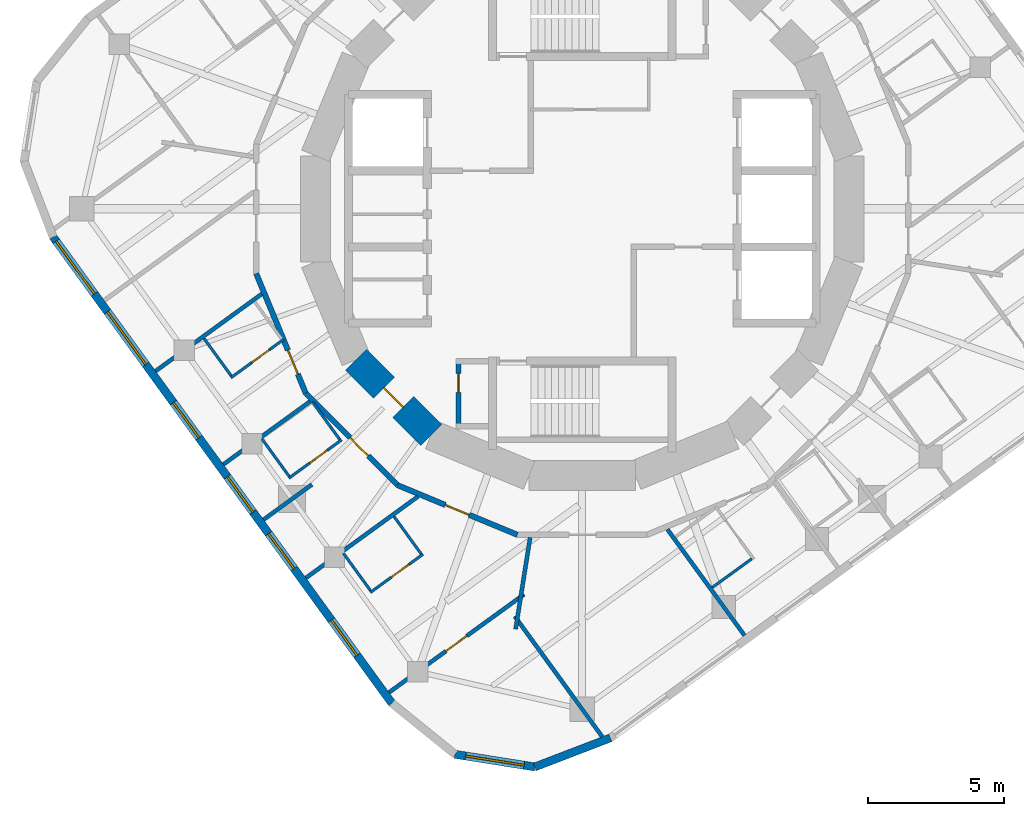
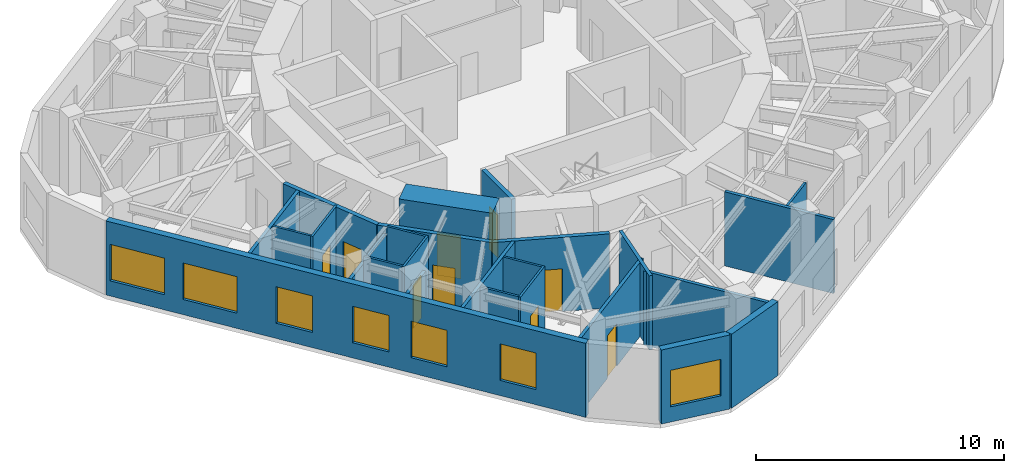
# One storey, part 3 of 9: 25 walls, 9 doors, 7 windows, 16 openings.
"""IFC4 building model written with IfcOpenShell, lengths in metres."""

from ifc_helpers import new_model, si_unit, direction, frame, frame_2d, origin, place, context, subcontext, project, spatial, rectangle, extrude, material, layer, layer_set, type_object, element, fill, save


model = new_model("IFC4")

# Units and contexts
model_context = context("Model", 3, precision=1e-05, world=origin(), true_north=direction((0.0, 1.0)))
body_context = subcontext(model_context, "Body", "Model", "MODEL_VIEW")
ifc_project = project(units=[si_unit("LENGTHUNIT", "METRE"), si_unit("AREAUNIT", "SQUARE_METRE"), si_unit("VOLUMEUNIT", "CUBIC_METRE"), si_unit("PLANEANGLEUNIT", "RADIAN"), si_unit("MASSUNIT", "GRAM", prefix="KILO")], contexts=[model_context])

# Site, building, storey
site_placement = place(None, origin())
site = spatial("IfcSite", under=ifc_project, at=site_placement, CompositionType="ELEMENT")
building_placement = place(site_placement, origin())
building = spatial("IfcBuilding", under=site, at=building_placement, Name="Nakasero Lantern House", CompositionType="ELEMENT")
storey_placement = place(building_placement, frame((0.0, 0.0, 279.14990234375)))
storey = spatial("IfcBuildingStorey", under=building, at=storey_placement, Name="L68", CompositionType="ELEMENT", Elevation=279.14990234375)

# Wall, opening, door
ifc_material_1 = material(Name="Concrete C50/60", Category="concrete")
ifc_layer_1 = layer(ifc_material_1, 1.10009765625)
ifc_layer_set_1 = layer_set([ifc_layer_1], Name="Core wall 1100")
wall_type_1 = type_object("IfcWallType", Name="Core wall 1100", PredefinedType="SHEAR", material=ifc_layer_set_1)
wall_1_placement = place(storey_placement, frame((-8.314697265625, -5.5556640625, 0.0), z_axis=(0.0, 0.0, 1.0), x_axis=(0.707106781187, -0.707106781187, 0.0)))
wall_1 = element("IfcWall", 1, at=wall_1_placement, inside=storey, type_object=wall_type_1, Name="Core wall L68 facet 10", PredefinedType="SHEAR", context=body_context, shape_type="SweptSolid", body=[
    extrude(rectangle(XDim=3.90185546875, YDim=1.10009765625, at=frame_2d((1.950927734375, 0.0))), origin(), (0.0, 0.0, 1.0), 3.85009765625),
])
opening_1_placement = place(wall_1_placement, frame((1.450927734375, 0.0, 0.0)))
opening_1 = element("IfcOpeningElement", 2, at=opening_1_placement, cuts=wall_1, Name="Opening D05", PredefinedType="OPENING", context=body_context, shape_type="SweptSolid", body=[
    extrude(rectangle(XDim=1.0, YDim=2.10009765625, at=frame_2d((0.5, 1.050048828125))), frame((0.0, 0.570068359375, 0.0), z_axis=(0.0, -1.0, 0.0), x_axis=(1.0, 0.0, 0.0)), (0.0, 0.0, 1.0), 1.14013671875),
])
ifc_material_2 = material(Name="Timber C24", Category="wood")
door_type_1 = type_object("IfcDoorType", Name="Core door FD60S 1000", OperationType="SINGLE_SWING_LEFT", PredefinedType="DOOR", material=ifc_material_2)
door_1_placement = place(opening_1_placement, origin())
door_1 = element("IfcDoor", 3, at=door_1_placement, inside=storey, type_object=door_type_1, Name="Door L68 D-CORE10", OperationType="SINGLE_SWING_LEFT", OverallHeight=2.10009765625, OverallWidth=1.0, PredefinedType="DOOR", context=body_context, shape_type="SweptSolid", body=[
    extrude(rectangle(XDim=1.0, YDim=2.10009765625, at=frame_2d((0.5, 1.050048828125))), frame((0.0, 0.02490234375, 0.0), z_axis=(0.0, -1.0, 0.0), x_axis=(1.0, 0.0, 0.0)), (0.0, 0.0, 1.0), 0.050048828125),
])
fill(opening_1, door_1)

ifc_material_3 = material(Name="Blockwork", Category="masonry")
ifc_layer_2 = layer(ifc_material_3, 0.199951171875)
ifc_layer_set_2 = layer_set([ifc_layer_2], Name="Corridor wall 200")
wall_type_2 = type_object("IfcWallType", Name="Corridor wall 200", PredefinedType="PARTITIONING", material=ifc_layer_set_2)
wall_2_placement = place(storey_placement, frame((-2.384521484375, -11.98779296875, 0.0), z_axis=(0.0, 0.0, 1.0), x_axis=(-0.923885182372, 0.382669792111, 0.0)))
wall_2 = element("IfcWall", 4, at=wall_2_placement, inside=storey, type_object=wall_type_2, Name="Corridor wall L68 RC05a", PredefinedType="PARTITIONING", context=body_context, shape_type="SweptSolid", body=[
    extrude(rectangle(XDim=4.76904296875, YDim=0.199951171875, at=frame_2d((2.384521484375, 0.0))), origin(), (0.0, 0.0, 1.0), 3.650146484375),
])
opening_2_placement = place(wall_2_placement, frame((1.919921875, 0.0, 0.0)))
opening_2 = element("IfcOpeningElement", 5, at=opening_2_placement, cuts=wall_2, Name="Opening D01", PredefinedType="OPENING", context=body_context, shape_type="SweptSolid", body=[
    extrude(rectangle(XDim=0.949951171875, YDim=2.10009765625, at=frame_2d((0.47509765625, 1.050048828125))), frame((0.0, 0.119873046875, 0.0), z_axis=(0.0, -1.0, 0.0), x_axis=(1.0, 0.0, 0.0)), (0.0, 0.0, 1.0), 0.239990234375),
])
ifc_material_4 = material(Name="Timber C24", Category="wood")
door_type_2 = type_object("IfcDoorType", Name="Bedroom door FD30S 950", OperationType="SINGLE_SWING_LEFT", PredefinedType="DOOR", material=ifc_material_4)
door_2_placement = place(opening_2_placement, origin())
door_2 = element("IfcDoor", 6, at=door_2_placement, inside=storey, type_object=door_type_2, Name="Door L68 D2-06", OperationType="SINGLE_SWING_RIGHT", OverallHeight=2.10009765625, OverallWidth=0.949951171875, PredefinedType="DOOR", context=body_context, shape_type="SweptSolid", body=[
    extrude(rectangle(XDim=0.949951171875, YDim=2.10009765625, at=frame_2d((0.47509765625, 1.050048828125))), frame((0.0, 0.02490234375, 0.0), z_axis=(0.0, -1.0, 0.0), x_axis=(1.0, 0.0, 0.0)), (0.0, 0.0, 1.0), 0.050048828125),
])
fill(opening_2, door_2)

wall_3_placement = place(storey_placement, frame((-6.79052734375, -10.162841796875, 0.0), z_axis=(0.0, 0.0, 1.0), x_axis=(-0.707106781187, 0.707106781187, 0.0)))
wall_3 = element("IfcWall", 7, at=wall_3_placement, inside=storey, type_object=wall_type_2, Name="Corridor wall L68 RC06a", PredefinedType="PARTITIONING", context=body_context, shape_type="SweptSolid", body=[
    extrude(rectangle(XDim=4.769287109375, YDim=0.199951171875, at=frame_2d((2.384765625, 0.0))), origin(), (0.0, 0.0, 1.0), 3.650146484375),
])
opening_3_placement = place(wall_3_placement, frame((1.52001953125, 0.0, 0.0)))
opening_3 = element("IfcOpeningElement", 8, at=opening_3_placement, cuts=wall_3, Name="Opening D01", PredefinedType="OPENING", context=body_context, shape_type="SweptSolid", body=[
    extrude(rectangle(XDim=0.949951171875, YDim=2.10009765625, at=frame_2d((0.47509765625, 1.050048828125))), frame((0.0, 0.119873046875, 0.0), z_axis=(0.0, -1.0, 0.0), x_axis=(1.0, 0.0, 0.0)), (0.0, 0.0, 1.0), 0.239990234375),
])
door_3_placement = place(opening_3_placement, origin())
door_3 = element("IfcDoor", 9, at=door_3_placement, inside=storey, type_object=door_type_2, Name="Door L68 D2-04", OperationType="SINGLE_SWING_LEFT", OverallHeight=2.10009765625, OverallWidth=0.949951171875, PredefinedType="DOOR", context=body_context, shape_type="SweptSolid", body=[
    extrude(rectangle(XDim=0.949951171875, YDim=2.10009765625, at=frame_2d((0.47509765625, 1.050048828125))), frame((0.0, 0.02490234375, 0.0), z_axis=(0.0, -1.0, 0.0), x_axis=(1.0, 0.0, 0.0)), (0.0, 0.0, 1.0), 0.050048828125),
])
fill(opening_3, door_3)

wall_4_placement = place(storey_placement, frame((-10.162841796875, -6.79052734375, 0.0), z_axis=(0.0, 0.0, 1.0), x_axis=(-0.382669792111, 0.923885182372, 0.0)))
wall_4 = element("IfcWall", 10, at=wall_4_placement, inside=storey, type_object=wall_type_2, Name="Corridor wall L68 RC07a", PredefinedType="PARTITIONING", context=body_context, shape_type="SweptSolid", body=[
    extrude(rectangle(XDim=4.76904296875, YDim=0.199951171875, at=frame_2d((2.384521484375, 0.0))), origin(), (0.0, 0.0, 1.0), 3.650146484375),
])
opening_4_placement = place(wall_4_placement, frame((0.77001953125, 0.0, 0.0)))
opening_4 = element("IfcOpeningElement", 11, at=opening_4_placement, cuts=wall_4, Name="Opening D01", PredefinedType="OPENING", context=body_context, shape_type="SweptSolid", body=[
    extrude(rectangle(XDim=0.949951171875, YDim=2.10009765625, at=frame_2d((0.47509765625, 1.050048828125))), frame((0.0, 0.119873046875, 0.0), z_axis=(0.0, -1.0, 0.0), x_axis=(1.0, 0.0, 0.0)), (0.0, 0.0, 1.0), 0.239990234375),
])
door_4_placement = place(opening_4_placement, origin())
door_4 = element("IfcDoor", 12, at=door_4_placement, inside=storey, type_object=door_type_2, Name="Door L68 D2-03", OperationType="SINGLE_SWING_LEFT", OverallHeight=2.10009765625, OverallWidth=0.949951171875, PredefinedType="DOOR", context=body_context, shape_type="SweptSolid", body=[
    extrude(rectangle(XDim=0.949951171875, YDim=2.10009765625, at=frame_2d((0.47509765625, 1.050048828125))), frame((0.0, 0.02490234375, 0.0), z_axis=(0.0, -1.0, 0.0), x_axis=(1.0, 0.0, 0.0)), (0.0, 0.0, 1.0), 0.050048828125),
])
fill(opening_4, door_4)

ifc_material_5 = material(Name="Blockwork", Category="masonry")
ifc_layer_3 = layer(ifc_material_5, 0.10009765625)
ifc_layer_set_3 = layer_set([ifc_layer_3], Name="En-suite wall 100")
wall_type_3 = type_object("IfcWallType", Name="En-suite wall 100", PredefinedType="PARTITIONING", material=ifc_layer_set_3)
wall_5_placement = place(storey_placement, frame((-10.97705078125, -4.80126953125, 0.0), z_axis=(0.0, 0.0, 1.0), x_axis=(-0.809026317077, -0.587772420479, 0.0)))
wall_5 = element("IfcWall", 13, at=wall_5_placement, inside=storey, type_object=wall_type_3, Name="En-suite wall L68 ES2-03", PredefinedType="PARTITIONING", context=body_context, shape_type="SweptSolid", body=[
    extrude(rectangle(XDim=2.39990234375, YDim=0.10009765625, at=frame_2d((1.199951171875, 0.0))), origin(), (0.0, 0.0, 1.0), 3.650146484375),
])
opening_5_placement = place(wall_5_placement, frame((0.64990234375, 0.0, 0.0)))
opening_5 = element("IfcOpeningElement", 14, at=opening_5_placement, cuts=wall_5, Name="Opening D02", PredefinedType="OPENING", context=body_context, shape_type="SweptSolid", body=[
    extrude(rectangle(XDim=0.800048828125, YDim=2.10009765625, at=frame_2d((0.39990234375, 1.050048828125))), frame((0.0, 0.070068359375, 0.0), z_axis=(0.0, -1.0, 0.0), x_axis=(1.0, 0.0, 0.0)), (0.0, 0.0, 1.0), 0.14013671875),
])
ifc_material_6 = material(Name="Timber C24", Category="wood")
door_type_3 = type_object("IfcDoorType", Name="En-suite door 800", OperationType="SINGLE_SWING_RIGHT", PredefinedType="DOOR", material=ifc_material_6)
door_5_placement = place(opening_5_placement, origin())
door_5 = element("IfcDoor", 15, at=door_5_placement, inside=storey, type_object=door_type_3, Name="Door L68 DE2-03", OperationType="SINGLE_SWING_LEFT", OverallHeight=2.10009765625, OverallWidth=0.800048828125, PredefinedType="DOOR", context=body_context, shape_type="SweptSolid", body=[
    extrude(rectangle(XDim=0.800048828125, YDim=2.10009765625, at=frame_2d((0.39990234375, 1.050048828125))), frame((0.0, 0.02490234375, 0.0), z_axis=(0.0, -1.0, 0.0), x_axis=(1.0, 0.0, 0.0)), (0.0, 0.0, 1.0), 0.050048828125),
])
fill(opening_5, door_5)

# Wall
wall_6_placement = place(storey_placement, frame((-13.906982421875, -4.766845703125, 0.0), z_axis=(0.0, 0.0, 1.0), x_axis=(0.587821529301, -0.808990636343, 0.0)))
element("IfcWall", 16, at=wall_6_placement, inside=storey, type_object=wall_type_3, Name="En-suite wall L68 EE2-03", PredefinedType="PARTITIONING", context=body_context, shape_type="SweptSolid", body=[
    extrude(rectangle(XDim=1.699951171875, YDim=0.10009765625, at=frame_2d((0.85009765625, 0.0))), origin(), (0.0, 0.0, 1.0), 3.650146484375),
])

# Wall, opening, door
wall_7_placement = place(storey_placement, frame((-8.846435546875, -8.495849609375, 0.0), z_axis=(0.0, 0.0, 1.0), x_axis=(-0.809026317077, -0.587772420479, 0.0)))
wall_7 = element("IfcWall", 17, at=wall_7_placement, inside=storey, type_object=wall_type_3, Name="En-suite wall L68 ES2-04", PredefinedType="PARTITIONING", context=body_context, shape_type="SweptSolid", body=[
    extrude(rectangle(XDim=2.39990234375, YDim=0.10009765625, at=frame_2d((1.199951171875, 0.0))), origin(), (0.0, 0.0, 1.0), 3.650146484375),
])
opening_6_placement = place(wall_7_placement, frame((0.64990234375, 0.0, 0.0)))
opening_6 = element("IfcOpeningElement", 18, at=opening_6_placement, cuts=wall_7, Name="Opening D02", PredefinedType="OPENING", context=body_context, shape_type="SweptSolid", body=[
    extrude(rectangle(XDim=0.800048828125, YDim=2.10009765625, at=frame_2d((0.39990234375, 1.050048828125))), frame((0.0, 0.070068359375, 0.0), z_axis=(0.0, -1.0, 0.0), x_axis=(1.0, 0.0, 0.0)), (0.0, 0.0, 1.0), 0.14013671875),
])
door_6_placement = place(opening_6_placement, origin())
door_6 = element("IfcDoor", 19, at=door_6_placement, inside=storey, type_object=door_type_3, Name="Door L68 DE2-04", OperationType="SINGLE_SWING_LEFT", OverallHeight=2.10009765625, OverallWidth=0.800048828125, PredefinedType="DOOR", context=body_context, shape_type="SweptSolid", body=[
    extrude(rectangle(XDim=0.800048828125, YDim=2.10009765625, at=frame_2d((0.39990234375, 1.050048828125))), frame((0.0, 0.02490234375, 0.0), z_axis=(0.0, -1.0, 0.0), x_axis=(1.0, 0.0, 0.0)), (0.0, 0.0, 1.0), 0.050048828125),
])
fill(opening_6, door_6)

# Walls
wall_8_placement = place(storey_placement, frame((-11.7763671875, -8.461181640625, 0.0), z_axis=(0.0, 0.0, 1.0), x_axis=(0.58775323954, -0.809040252033, 0.0)))
element("IfcWall", 20, at=wall_8_placement, inside=storey, type_object=wall_type_3, Name="En-suite wall L68 EE2-04", PredefinedType="PARTITIONING", context=body_context, shape_type="SweptSolid", body=[
    extrude(rectangle(XDim=1.7001953125, YDim=0.10009765625, at=frame_2d((0.85009765625, 0.0))), origin(), (0.0, 0.0, 1.0), 3.650146484375),
])
wall_9_placement = place(storey_placement, frame((-9.91552734375, -7.109375, 0.0), z_axis=(0.0, 0.0, 1.0), x_axis=(0.587821529301, -0.808990636343, 0.0)))
element("IfcWall", 21, at=wall_9_placement, inside=storey, type_object=wall_type_3, Name="En-suite wall L68 EI2-04", PredefinedType="PARTITIONING", context=body_context, shape_type="SweptSolid", body=[
    extrude(rectangle(XDim=1.699951171875, YDim=0.10009765625, at=frame_2d((0.85009765625, 0.0))), origin(), (0.0, 0.0, 1.0), 3.650146484375),
])

# Wall, opening, door
wall_10_placement = place(storey_placement, frame((-5.852783203125, -12.7001953125, 0.0), z_axis=(0.0, 0.0, 1.0), x_axis=(-0.809026317077, -0.587772420479, 0.0)))
wall_10 = element("IfcWall", 22, at=wall_10_placement, inside=storey, type_object=wall_type_3, Name="En-suite wall L68 ES2-06", PredefinedType="PARTITIONING", context=body_context, shape_type="SweptSolid", body=[
    extrude(rectangle(XDim=2.39990234375, YDim=0.10009765625, at=frame_2d((1.199951171875, 0.0))), origin(), (0.0, 0.0, 1.0), 3.650146484375),
])
opening_7_placement = place(wall_10_placement, frame((0.64990234375, 0.0, 0.0)))
opening_7 = element("IfcOpeningElement", 23, at=opening_7_placement, cuts=wall_10, Name="Opening D02", PredefinedType="OPENING", context=body_context, shape_type="SweptSolid", body=[
    extrude(rectangle(XDim=0.800048828125, YDim=2.10009765625, at=frame_2d((0.39990234375, 1.050048828125))), frame((0.0, 0.070068359375, 0.0), z_axis=(0.0, -1.0, 0.0), x_axis=(1.0, 0.0, 0.0)), (0.0, 0.0, 1.0), 0.14013671875),
])
door_7_placement = place(opening_7_placement, origin())
door_7 = element("IfcDoor", 24, at=door_7_placement, inside=storey, type_object=door_type_3, Name="Door L68 DE2-06", OperationType="SINGLE_SWING_LEFT", OverallHeight=2.10009765625, OverallWidth=0.800048828125, PredefinedType="DOOR", context=body_context, shape_type="SweptSolid", body=[
    extrude(rectangle(XDim=0.800048828125, YDim=2.10009765625, at=frame_2d((0.39990234375, 1.050048828125))), frame((0.0, 0.02490234375, 0.0), z_axis=(0.0, -1.0, 0.0), x_axis=(1.0, 0.0, 0.0)), (0.0, 0.0, 1.0), 0.050048828125),
])
fill(opening_7, door_7)

# Walls
wall_11_placement = place(storey_placement, frame((-8.78271484375, -12.665771484375, 0.0), z_axis=(0.0, 0.0, 1.0), x_axis=(0.587821529301, -0.808990636343, 0.0)))
element("IfcWall", 25, at=wall_11_placement, inside=storey, type_object=wall_type_3, Name="En-suite wall L68 EE2-06", PredefinedType="PARTITIONING", context=body_context, shape_type="SweptSolid", body=[
    extrude(rectangle(XDim=1.699951171875, YDim=0.10009765625, at=frame_2d((0.85009765625, 0.0))), origin(), (0.0, 0.0, 1.0), 3.650146484375),
])
wall_12_placement = place(storey_placement, frame((-6.921875, -11.313720703125, 0.0), z_axis=(0.0, 0.0, 1.0), x_axis=(0.58775323954, -0.809040252033, 0.0)))
element("IfcWall", 26, at=wall_12_placement, inside=storey, type_object=wall_type_3, Name="En-suite wall L68 EI2-06", PredefinedType="PARTITIONING", context=body_context, shape_type="SweptSolid", body=[
    extrude(rectangle(XDim=1.7001953125, YDim=0.10009765625, at=frame_2d((0.85009765625, 0.0))), origin(), (0.0, 0.0, 1.0), 3.650146484375),
])
wall_13_placement = place(storey_placement, frame((4.781005859375, -13.926513671875, 0.0), z_axis=(0.0, 0.0, 1.0), x_axis=(0.808958916286, 0.58786518162, 0.0)))
element("IfcWall", 27, at=wall_13_placement, inside=storey, type_object=wall_type_3, Name="En-suite wall L68 EE3-03", PredefinedType="PARTITIONING", context=body_context, shape_type="SweptSolid", body=[
    extrude(rectangle(XDim=1.7998046875, YDim=0.10009765625, at=frame_2d((0.89990234375, 0.0))), origin(), (0.0, 0.0, 1.0), 3.650146484375),
])

# Wall, openings, windows
ifc_material_7 = material(Name="Aluminium rainscreen on blockwork", Category="masonry")
ifc_layer_4 = layer(ifc_material_7, 0.300048828125)
ifc_layer_set_4 = layer_set([ifc_layer_4], Name="Facade wall 300")
wall_type_4 = type_object("IfcWallType", Name="Facade wall 300", PredefinedType="SOLIDWALL", material=ifc_layer_set_4)
wall_14_placement = place(storey_placement, frame((-19.4580078125, -1.03466796875, 0.0), z_axis=(0.0, 0.0, 1.0), x_axis=(0.587790233451, -0.809013375328, 0.0)))
wall_14 = element("IfcWall", 28, at=wall_14_placement, inside=storey, type_object=wall_type_4, Name="Facade wall L68 FW2S", PredefinedType="SOLIDWALL", context=body_context, shape_type="SweptSolid", body=[
    extrude(rectangle(XDim=21.199951171875, YDim=0.300048828125, at=frame_2d((10.60009765625, 0.0))), origin(), (0.0, 0.0, 1.0), 3.650146484375),
])
opening_8_placement = place(wall_14_placement, frame((7.52783203125, 0.0, 0.75)))
opening_8 = element("IfcOpeningElement", 29, at=opening_8_placement, cuts=wall_14, Name="Opening W01", PredefinedType="OPENING", context=body_context, shape_type="SweptSolid", body=[
    extrude(rectangle(XDim=1.60009765625, YDim=1.800048828125, at=frame_2d((0.800048828125, 0.89990234375))), frame((0.0, 0.169921875, 0.0), z_axis=(0.0, -1.0, 0.0), x_axis=(1.0, 0.0, 0.0)), (0.0, 0.0, 1.0), 0.340087890625),
])
opening_9_placement = place(wall_14_placement, frame((10.904052734375, 0.0, 0.75)))
opening_9 = element("IfcOpeningElement", 30, at=opening_9_placement, cuts=wall_14, Name="Opening W01", PredefinedType="OPENING", context=body_context, shape_type="SweptSolid", body=[
    extrude(rectangle(XDim=1.60009765625, YDim=1.800048828125, at=frame_2d((0.800048828125, 0.89990234375))), frame((0.0, 0.169921875, 0.0), z_axis=(0.0, -1.0, 0.0), x_axis=(1.0, 0.0, 0.0)), (0.0, 0.0, 1.0), 0.340087890625),
])
opening_10_placement = place(wall_14_placement, frame((13.484619140625, 0.0, 0.75)))
opening_10 = element("IfcOpeningElement", 31, at=opening_10_placement, cuts=wall_14, Name="Opening W01", PredefinedType="OPENING", context=body_context, shape_type="SweptSolid", body=[
    extrude(rectangle(XDim=1.60009765625, YDim=1.800048828125, at=frame_2d((0.800048828125, 0.89990234375))), frame((0.0, 0.169921875, 0.0), z_axis=(0.0, -1.0, 0.0), x_axis=(1.0, 0.0, 0.0)), (0.0, 0.0, 1.0), 0.340087890625),
])
opening_11_placement = place(wall_14_placement, frame((17.410888671875, 0.0, 0.75)))
opening_11 = element("IfcOpeningElement", 32, at=opening_11_placement, cuts=wall_14, Name="Opening W01", PredefinedType="OPENING", context=body_context, shape_type="SweptSolid", body=[
    extrude(rectangle(XDim=1.60009765625, YDim=1.800048828125, at=frame_2d((0.800048828125, 0.89990234375))), frame((0.0, 0.169921875, 0.0), z_axis=(0.0, -1.0, 0.0), x_axis=(1.0, 0.0, 0.0)), (0.0, 0.0, 1.0), 0.340087890625),
])
opening_12_placement = place(wall_14_placement, frame((0.1904296875, 0.0, 0.75)))
opening_12 = element("IfcOpeningElement", 33, at=opening_12_placement, cuts=wall_14, Name="Opening W03", PredefinedType="OPENING", context=body_context, shape_type="SweptSolid", body=[
    extrude(rectangle(XDim=2.39990234375, YDim=1.800048828125, at=frame_2d((1.199951171875, 0.89990234375))), frame((0.0, 0.169921875, 0.0), z_axis=(0.0, -1.0, 0.0), x_axis=(1.0, 0.0, 0.0)), (0.0, 0.0, 1.0), 0.340087890625),
])
opening_13_placement = place(wall_14_placement, frame((3.401611328125, 0.0, 0.75)))
opening_13 = element("IfcOpeningElement", 34, at=opening_13_placement, cuts=wall_14, Name="Opening W03", PredefinedType="OPENING", context=body_context, shape_type="SweptSolid", body=[
    extrude(rectangle(XDim=2.39990234375, YDim=1.800048828125, at=frame_2d((1.199951171875, 0.89990234375))), frame((0.0, 0.169921875, 0.0), z_axis=(0.0, -1.0, 0.0), x_axis=(1.0, 0.0, 0.0)), (0.0, 0.0, 1.0), 0.340087890625),
])
ifc_material_8 = material(Name="Aluminium 6063-T6 and glass", Category="aluminium")
window_type_1 = type_object("IfcWindowType", Name="Bedroom window 1600x1800", PartitioningType="SINGLE_PANEL", PredefinedType="WINDOW", material=ifc_material_8)
window_1_placement = place(opening_8_placement, origin())
window_1 = element("IfcWindow", 35, at=window_1_placement, inside=storey, type_object=window_type_1, Name="Window L68 WN2-03", OverallHeight=1.800048828125, OverallWidth=1.60009765625, PartitioningType="SINGLE_PANEL", PredefinedType="WINDOW", context=body_context, shape_type="SweptSolid", body=[
    extrude(rectangle(XDim=1.60009765625, YDim=1.800048828125, at=frame_2d((0.800048828125, 0.89990234375))), frame((0.0, 0.030029296875, 0.0), z_axis=(0.0, -1.0, 0.0), x_axis=(1.0, 0.0, 0.0)), (0.0, 0.0, 1.0), 0.06005859375),
])
fill(opening_8, window_1)
window_2_placement = place(opening_9_placement, origin())
window_2 = element("IfcWindow", 36, at=window_2_placement, inside=storey, type_object=window_type_1, Name="Window L68 WN2-04", OverallHeight=1.800048828125, OverallWidth=1.60009765625, PartitioningType="SINGLE_PANEL", PredefinedType="WINDOW", context=body_context, shape_type="SweptSolid", body=[
    extrude(rectangle(XDim=1.60009765625, YDim=1.800048828125, at=frame_2d((0.800048828125, 0.89990234375))), frame((0.0, 0.030029296875, 0.0), z_axis=(0.0, -1.0, 0.0), x_axis=(1.0, 0.0, 0.0)), (0.0, 0.0, 1.0), 0.06005859375),
])
fill(opening_9, window_2)
window_3_placement = place(opening_10_placement, origin())
window_3 = element("IfcWindow", 37, at=window_3_placement, inside=storey, type_object=window_type_1, Name="Window L68 WN2-05", OverallHeight=1.800048828125, OverallWidth=1.60009765625, PartitioningType="SINGLE_PANEL", PredefinedType="WINDOW", context=body_context, shape_type="SweptSolid", body=[
    extrude(rectangle(XDim=1.60009765625, YDim=1.800048828125, at=frame_2d((0.800048828125, 0.89990234375))), frame((0.0, 0.030029296875, 0.0), z_axis=(0.0, -1.0, 0.0), x_axis=(1.0, 0.0, 0.0)), (0.0, 0.0, 1.0), 0.06005859375),
])
fill(opening_10, window_3)
window_4_placement = place(opening_11_placement, origin())
window_4 = element("IfcWindow", 38, at=window_4_placement, inside=storey, type_object=window_type_1, Name="Window L68 WN2-06", OverallHeight=1.800048828125, OverallWidth=1.60009765625, PartitioningType="SINGLE_PANEL", PredefinedType="WINDOW", context=body_context, shape_type="SweptSolid", body=[
    extrude(rectangle(XDim=1.60009765625, YDim=1.800048828125, at=frame_2d((0.800048828125, 0.89990234375))), frame((0.0, 0.030029296875, 0.0), z_axis=(0.0, -1.0, 0.0), x_axis=(1.0, 0.0, 0.0)), (0.0, 0.0, 1.0), 0.06005859375),
])
fill(opening_11, window_4)
ifc_material_9 = material(Name="Aluminium 6063-T6 and glass", Category="aluminium")
window_type_2 = type_object("IfcWindowType", Name="Lounge window 2400x1800", PartitioningType="SINGLE_PANEL", PredefinedType="WINDOW", material=ifc_material_9)
window_5_placement = place(opening_12_placement, origin())
window_5 = element("IfcWindow", 39, at=window_5_placement, inside=storey, type_object=window_type_2, Name="Window L68 WK2", OverallHeight=1.800048828125, OverallWidth=2.39990234375, PartitioningType="SINGLE_PANEL", PredefinedType="WINDOW", context=body_context, shape_type="SweptSolid", body=[
    extrude(rectangle(XDim=2.39990234375, YDim=1.800048828125, at=frame_2d((1.199951171875, 0.89990234375))), frame((0.0, 0.030029296875, 0.0), z_axis=(0.0, -1.0, 0.0), x_axis=(1.0, 0.0, 0.0)), (0.0, 0.0, 1.0), 0.06005859375),
])
fill(opening_12, window_5)
window_6_placement = place(opening_13_placement, origin())
window_6 = element("IfcWindow", 40, at=window_6_placement, inside=storey, type_object=window_type_2, Name="Window L68 WL2", OverallHeight=1.800048828125, OverallWidth=2.39990234375, PartitioningType="SINGLE_PANEL", PredefinedType="WINDOW", context=body_context, shape_type="SweptSolid", body=[
    extrude(rectangle(XDim=2.39990234375, YDim=1.800048828125, at=frame_2d((1.199951171875, 0.89990234375))), frame((0.0, 0.030029296875, 0.0), z_axis=(0.0, -1.0, 0.0), x_axis=(1.0, 0.0, 0.0)), (0.0, 0.0, 1.0), 0.06005859375),
])
fill(opening_13, window_6)

# Wall, opening, window
wall_15_placement = place(storey_placement, frame((-4.683837890625, -20.05908203125, 0.0), z_axis=(0.0, 0.0, 1.0), x_axis=(0.987691704133, -0.156413227021, 0.0)))
wall_15 = element("IfcWall", 41, at=wall_15_placement, inside=storey, type_object=wall_type_4, Name="Facade wall L68 FW2C2", PredefinedType="SOLIDWALL", context=body_context, shape_type="SweptSolid", body=[
    extrude(rectangle(XDim=2.9765625, YDim=0.300048828125, at=frame_2d((1.48828125, 0.0))), origin(), (0.0, 0.0, 1.0), 3.650146484375),
])
opening_14_placement = place(wall_15_placement, frame((0.39990234375, 0.0, 0.75)))
opening_14 = element("IfcOpeningElement", 42, at=opening_14_placement, cuts=wall_15, Name="Opening W221", PredefinedType="OPENING", context=body_context, shape_type="SweptSolid", body=[
    extrude(rectangle(XDim=2.176025390625, YDim=1.800048828125, at=frame_2d((1.087890625, 0.89990234375))), frame((0.0, 0.169921875, 0.0), z_axis=(0.0, -1.0, 0.0), x_axis=(1.0, 0.0, 0.0)), (0.0, 0.0, 1.0), 0.340087890625),
])
ifc_material_10 = material(Name="Aluminium 6063-T6 and glass", Category="aluminium")
window_type_3 = type_object("IfcWindowType", Name="Corner window 2176x1800", PartitioningType="SINGLE_PANEL", PredefinedType="WINDOW", material=ifc_material_10)
window_7_placement = place(opening_14_placement, origin())
window_7 = element("IfcWindow", 43, at=window_7_placement, inside=storey, type_object=window_type_3, Name="Window L68 WC2", OverallHeight=1.800048828125, OverallWidth=2.176025390625, PartitioningType="SINGLE_PANEL", PredefinedType="WINDOW", context=body_context, shape_type="SweptSolid", body=[
    extrude(rectangle(XDim=2.176025390625, YDim=1.800048828125, at=frame_2d((1.087890625, 0.89990234375))), frame((0.0, 0.030029296875, 0.0), z_axis=(0.0, -1.0, 0.0), x_axis=(1.0, 0.0, 0.0)), (0.0, 0.0, 1.0), 0.06005859375),
])
fill(opening_14, window_7)

# Wall
wall_16_placement = place(storey_placement, frame((-1.743896484375, -20.524658203125, 0.0), z_axis=(0.0, 0.0, 1.0), x_axis=(0.933573745966, 0.35838535244, 0.0)))
element("IfcWall", 44, at=wall_16_placement, inside=storey, type_object=wall_type_4, Name="Facade wall L68 FW2C3", PredefinedType="SOLIDWALL", context=body_context, shape_type="SweptSolid", body=[
    extrude(rectangle(XDim=2.976318359375, YDim=0.300048828125, at=frame_2d((1.48828125, 0.0))), origin(), (0.0, 0.0, 1.0), 3.650146484375),
])

# Wall, opening, door
ifc_material_11 = material(Name="Blockwork", Category="masonry")
ifc_layer_5 = layer(ifc_material_11, 0.199951171875)
ifc_layer_set_5 = layer_set([ifc_layer_5], Name="Fire lobby wall 200")
wall_type_5 = type_object("IfcWallType", Name="Fire lobby wall 200", PredefinedType="PARTITIONING", material=ifc_layer_set_5)
wall_17_placement = place(storey_placement, frame((-4.550048828125, -5.60009765625, 0.0), z_axis=(0.0, 0.0, 1.0), x_axis=(0.0, -1.0, 0.0)))
wall_17 = element("IfcWall", 45, at=wall_17_placement, inside=storey, type_object=wall_type_5, Name="Fire lobby wall L68 W-RS2W", PredefinedType="PARTITIONING", context=body_context, shape_type="SweptSolid", body=[
    extrude(rectangle(XDim=2.39990234375, YDim=0.199951171875, at=frame_2d((1.199951171875, 0.0))), origin(), (0.0, 0.0, 1.0), 3.650146484375),
])
opening_15_placement = place(wall_17_placement, frame((0.449951171875, 0.0, 0.0)))
opening_15 = element("IfcOpeningElement", 46, at=opening_15_placement, cuts=wall_17, Name="Opening D06", PredefinedType="OPENING", context=body_context, shape_type="SweptSolid", body=[
    extrude(rectangle(XDim=0.699951171875, YDim=2.10009765625, at=frame_2d((0.35009765625, 1.050048828125))), frame((0.0, 0.119873046875, 0.0), z_axis=(0.0, -1.0, 0.0), x_axis=(1.0, 0.0, 0.0)), (0.0, 0.0, 1.0), 0.239990234375),
])
ifc_material_12 = material(Name="Steel S355", Category="steel")
door_type_4 = type_object("IfcDoorType", Name="Riser door FD60 700", OperationType="SINGLE_SWING_LEFT", PredefinedType="DOOR", material=ifc_material_12)
door_8_placement = place(opening_15_placement, origin())
door_8 = element("IfcDoor", 47, at=door_8_placement, inside=storey, type_object=door_type_4, Name="Door L68 D-RS2", OperationType="SINGLE_SWING_LEFT", OverallHeight=2.10009765625, OverallWidth=0.699951171875, PredefinedType="DOOR", context=body_context, shape_type="SweptSolid", body=[
    extrude(rectangle(XDim=0.699951171875, YDim=2.10009765625, at=frame_2d((0.35009765625, 1.050048828125))), frame((0.0, 0.02490234375, 0.0), z_axis=(0.0, -1.0, 0.0), x_axis=(1.0, 0.0, 0.0)), (0.0, 0.0, 1.0), 0.050048828125),
])
fill(opening_15, door_8)

# Walls
ifc_material_13 = material(Name="Blockwork", Category="masonry")
ifc_layer_6 = layer(ifc_material_13, 0.14990234375)
ifc_layer_set_6 = layer_set([ifc_layer_6], Name="Party wall 150")
wall_type_6 = type_object("IfcWallType", Name="Party wall 150", PredefinedType="PARTITIONING", material=ifc_layer_set_6)
wall_18_placement = place(storey_placement, frame((-9.939208984375, -10.13818359375, 0.0), z_axis=(0.0, 0.0, 1.0), x_axis=(-0.808990345923, -0.587821928992, 0.0)))
element("IfcWall", 48, at=wall_18_placement, inside=storey, type_object=wall_type_6, Name="Party wall L68 PN2-05", PredefinedType="PARTITIONING", context=body_context, shape_type="SweptSolid", body=[
    extrude(rectangle(XDim=2.199951171875, YDim=0.14990234375, at=frame_2d((1.10009765625, 0.0))), origin(), (0.0, 0.0, 1.0), 3.295166015625),
])
wall_19_placement = place(storey_placement, frame((-11.7861328125, -3.133056640625, 0.0), z_axis=(0.0, 0.0, 1.0), x_axis=(-0.809000848856, -0.587807474051, 0.0)))
element("IfcWall", 49, at=wall_19_placement, inside=storey, type_object=wall_type_6, Name="Party wall L68 PW2-03", PredefinedType="PARTITIONING", context=body_context, shape_type="SweptSolid", body=[
    extrude(rectangle(XDim=4.8232421875, YDim=0.14990234375, at=frame_2d((2.41162109375, 0.0))), origin(), (0.0, 0.0, 1.0), 3.650146484375),
])
wall_20_placement = place(storey_placement, frame((-10.009765625, -7.085205078125, 0.0), z_axis=(0.0, 0.0, 1.0), x_axis=(-0.809022902379, -0.587777120537, 0.0)))
element("IfcWall", 50, at=wall_20_placement, inside=storey, type_object=wall_type_6, Name="Party wall L68 PW2-04", PredefinedType="PARTITIONING", context=body_context, shape_type="SweptSolid", body=[
    extrude(rectangle(XDim=3.937255859375, YDim=0.14990234375, at=frame_2d((1.96875, 0.0))), origin(), (0.0, 0.0, 1.0), 3.295166015625),
])
wall_21_placement = place(storey_placement, frame((-6.04150390625, -10.581298828125, 0.0), z_axis=(0.0, 0.0, 1.0), x_axis=(-0.808997200429, -0.587812495358, 0.0)))
element("IfcWall", 51, at=wall_21_placement, inside=storey, type_object=wall_type_6, Name="Party wall L68 PW2-06", PredefinedType="PARTITIONING", context=body_context, shape_type="SweptSolid", body=[
    extrude(rectangle(XDim=5.0927734375, YDim=0.14990234375, at=frame_2d((2.54638671875, 0.0))), origin(), (0.0, 0.0, 1.0), 3.650146484375),
])

# Wall, opening, door
wall_22_placement = place(storey_placement, frame((-2.137939453125, -14.1767578125, 0.0), z_axis=(0.0, 0.0, 1.0), x_axis=(-0.809024975628, -0.587774266883, 0.0)))
wall_22 = element("IfcWall", 52, at=wall_22_placement, inside=storey, type_object=wall_type_6, Name="Party wall L68 PW2-07", PredefinedType="PARTITIONING", context=body_context, shape_type="SweptSolid", body=[
    extrude(rectangle(XDim=6.137451171875, YDim=0.14990234375, at=frame_2d((3.06884765625, 0.0))), origin(), (0.0, 0.0, 1.0), 3.650146484375),
])
opening_16_placement = place(wall_22_placement, frame((2.60009765625, 0.0, 0.0)))
opening_16 = element("IfcOpeningElement", 53, at=opening_16_placement, cuts=wall_22, Name="Opening D01", PredefinedType="OPENING", context=body_context, shape_type="SweptSolid", body=[
    extrude(rectangle(XDim=0.949951171875, YDim=2.10009765625, at=frame_2d((0.47509765625, 1.050048828125))), frame((0.0, 0.094970703125, 0.0), z_axis=(0.0, -1.0, 0.0), x_axis=(1.0, 0.0, 0.0)), (0.0, 0.0, 1.0), 0.18994140625),
])
door_9_placement = place(opening_16_placement, origin())
door_9 = element("IfcDoor", 54, at=door_9_placement, inside=storey, type_object=door_type_2, Name="Door L68 DC2", OperationType="SINGLE_SWING_RIGHT", OverallHeight=2.10009765625, OverallWidth=0.949951171875, PredefinedType="DOOR", context=body_context, shape_type="SweptSolid", body=[
    extrude(rectangle(XDim=0.949951171875, YDim=2.10009765625, at=frame_2d((0.47509765625, 1.050048828125))), frame((0.0, 0.02490234375, 0.0), z_axis=(0.0, -1.0, 0.0), x_axis=(1.0, 0.0, 0.0)), (0.0, 0.0, 1.0), 0.050048828125),
])
fill(opening_16, door_9)

# Walls
wall_23_placement = place(storey_placement, frame((-1.91455078125, -12.087890625, 0.0), z_axis=(0.0, 0.0, 1.0), x_axis=(-0.156429454775, -0.98768913413, 0.0)))
element("IfcWall", 55, at=wall_23_placement, inside=storey, type_object=wall_type_6, Name="Party wall L68 PD2", PredefinedType="PARTITIONING", context=body_context, shape_type="SweptSolid", body=[
    extrude(rectangle(XDim=3.41015625, YDim=0.14990234375, at=frame_2d((1.705078125, 0.0))), origin(), (0.0, 0.0, 1.0), 3.650146484375),
])
wall_24_placement = place(storey_placement, frame((-2.48095703125, -14.9853515625, 0.0), z_axis=(0.0, 0.0, 1.0), x_axis=(0.587775959987, -0.809023745549, 0.0)))
element("IfcWall", 56, at=wall_24_placement, inside=storey, type_object=wall_type_6, Name="Party wall L68 PW3-01", PredefinedType="PARTITIONING", context=body_context, shape_type="SweptSolid", body=[
    extrude(rectangle(XDim=5.466552734375, YDim=0.14990234375, at=frame_2d((2.7333984375, 0.0))), origin(), (0.0, 0.0, 1.0), 3.650146484375),
])
wall_25_placement = place(storey_placement, frame((3.133056640625, -11.7861328125, 0.0), z_axis=(0.0, 0.0, 1.0), x_axis=(0.587807474051, -0.809000848856, 0.0)))
element("IfcWall", 57, at=wall_25_placement, inside=storey, type_object=wall_type_6, Name="Party wall L68 PW3-03", PredefinedType="PARTITIONING", context=body_context, shape_type="SweptSolid", body=[
    extrude(rectangle(XDim=4.8232421875, YDim=0.14990234375, at=frame_2d((2.41162109375, 0.0))), origin(), (0.0, 0.0, 1.0), 3.650146484375),
])

save(model, "model.ifc")
